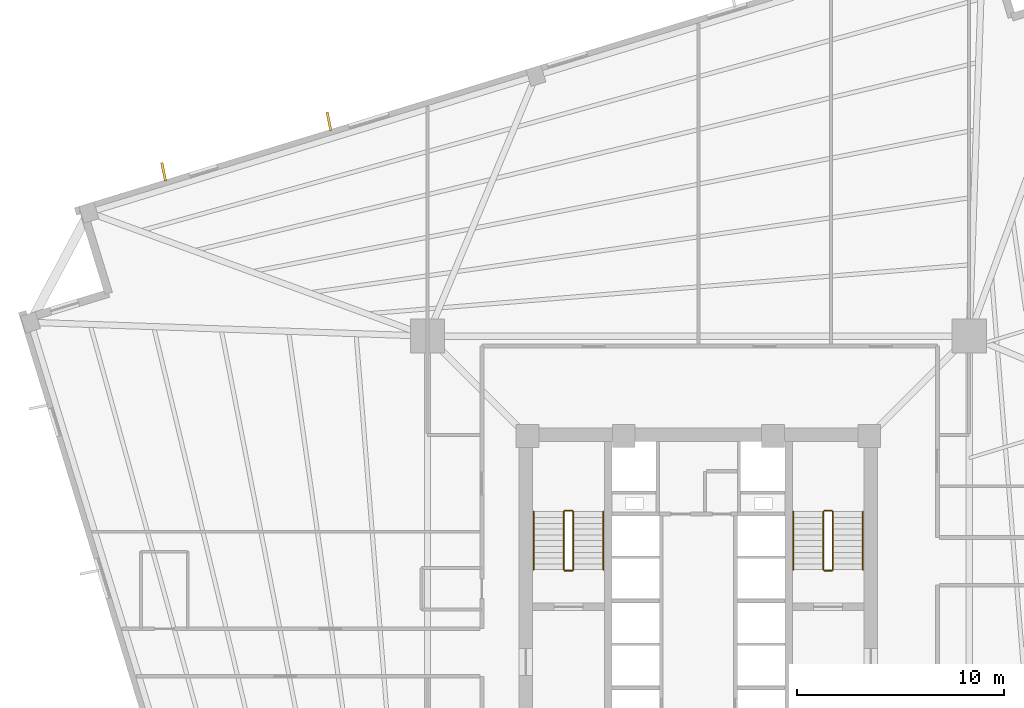
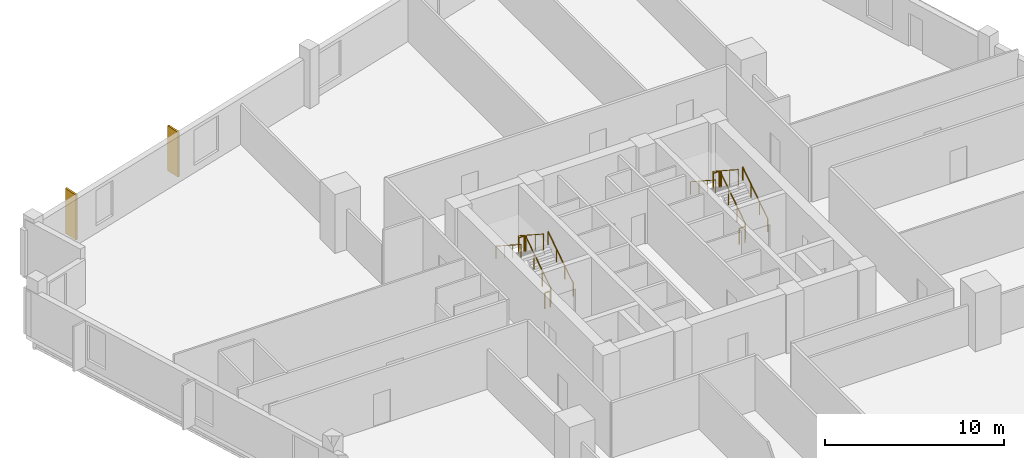
# One storey, part 8 of 9: 12 railings, 2 coverings.
"""IFC4 building model written with IfcOpenShell, lengths in metres."""

from ifc_helpers import new_model, si_unit, direction, frame, origin, origin_2d, place, context, subcontext, project, spatial, rectangle, circle, extrude, source, transform, mapped, material, layer, layer_set, type_object, element, save


model = new_model("IFC4")

# Units and contexts
model_context = context("Model", 3, precision=1e-05, world=origin(), true_north=direction((0.0, 1.0)))
body_context = subcontext(model_context, "Body", "Model", "MODEL_VIEW")
ifc_project = project(units=[si_unit("LENGTHUNIT", "METRE"), si_unit("AREAUNIT", "SQUARE_METRE"), si_unit("VOLUMEUNIT", "CUBIC_METRE"), si_unit("PLANEANGLEUNIT", "RADIAN"), si_unit("MASSUNIT", "GRAM", prefix="KILO"), si_unit("THERMODYNAMICTEMPERATUREUNIT", "KELVIN")], contexts=[model_context])

# Site, building, storey
site_placement = place(None, origin())
site = spatial("IfcSite", under=ifc_project, at=site_placement, CompositionType="ELEMENT")
building_placement = place(site_placement, origin())
building = spatial("IfcBuilding", under=site, at=building_placement, Name="Kosmvard Interchange Tower", CompositionType="ELEMENT")
storey_placement = place(building_placement, frame((0.0, 0.0, 119.199951171875)))
storey = spatial("IfcBuildingStorey", under=building, at=storey_placement, Name="L28", CompositionType="ELEMENT", Elevation=119.199951171875)

# Coverings
ifc_material_1 = material(Name="Architectural anodised aluminium", Category="aluminium")
ifc_layer = layer(ifc_material_1, 0.1201171875, Name="Architectural anodised aluminium")
ifc_layer_set = layer_set([ifc_layer], Name="Architectural anodised aluminium")
covering_type = type_object("IfcCoveringType", Name="Rotating Vertical Sun-Breaker Fin 900x120 Aluminium", PredefinedType="CLADDING", material=ifc_layer_set)
shared_shape_1 = source(origin(), body_context, "Body", "SweptSolid", [
    extrude(rectangle(XDim=0.89990234375, YDim=0.1201171875, at=origin_2d()), origin(), (0.0, 0.0, 1.0), 3.06005859375),
])
for number, where, z_axis, x_axis, name in (
    (1, (-17.841796875, 23.45849609375, 0.0400390625), (0.0, 0.0, 1.0), (-0.197144044521, 0.980374533385, 0.0), "L28 Rotating Vertical Sun-Breaker Fin 11"),
    (2, (-25.825439453125, 21.017822265625, 0.0400390625), (0.0, 0.0, 1.0), (-0.197144044521, 0.980374533385, 0.0), "L28 Rotating Vertical Sun-Breaker Fin 12"),
):
    element("IfcCovering", number, at=place(storey_placement, frame(where, z_axis=z_axis, x_axis=x_axis)), inside=storey, type_object=covering_type, Name=name, PredefinedType="CLADDING", context=body_context, shape_type="MappedRepresentation", body=[
        mapped(shared_shape_1, transform((0.0, 0.0, 0.0), scale=1.0)),
    ])

# Railings
ifc_material_2 = material(Name="Steel S355", Category="steel")
railing_type_1 = type_object("IfcRailingType", Name="Stair & Terrace Safety Guardrail 1100 Steel", PredefinedType="GUARDRAIL", material=ifc_material_2)
shared_shape_2 = source(origin(), body_context, "Body", "SweptSolid", [
    extrude(circle(Radius=0.02392578125, at=origin_2d()), frame((0.0, 0.0, 1.076171875), z_axis=(-1.0, 0.0, 0.0), x_axis=(0.0, -1.0, 0.0)), (0.0, 0.0, 1.0), 0.35986328125),
    extrude(circle(Radius=0.02099609375, at=origin_2d()), origin(), (0.0, 0.0, 1.0), 1.052001953125),
    extrude(circle(Radius=0.02099609375, at=origin_2d()), frame((-0.35986328125, 0.0, 0.0)), (0.0, 0.0, 1.0), 1.052001953125),
])
for number, where, name in (
    (3, (-6.090087890625, 4.64990234375, 2.0), "L28 ST-1 stair guard 2"),
    (4, (-6.090087890625, 1.75, 0.0), "L28 ST-1 stair guard 4"),
    (5, (6.449951171875, 4.64990234375, 2.0), "L28 ST-2 stair guard 2"),
    (6, (6.449951171875, 1.75, 0.0), "L28 ST-2 stair guard 4"),
):
    element("IfcRailing", number, at=place(storey_placement, frame(where)), inside=storey, type_object=railing_type_1, Name=name, PredefinedType="GUARDRAIL", context=body_context, shape_type="MappedRepresentation", body=[
        mapped(shared_shape_2, transform((0.0, 0.0, 0.0), scale=1.0)),
    ])
shared_shape_3 = source(origin(), body_context, "Body", "SweptSolid", [
    extrude(circle(Radius=0.02392578125, at=origin_2d()), frame((0.0, 0.0, 1.076171875), z_axis=(0.0, 0.838705829183, 0.544584733623), x_axis=(-1.0, 0.0, 0.0)), (0.0, 0.0, 1.0), 3.338623046875),
    extrude(circle(Radius=0.02099609375, at=origin_2d()), origin(), (0.0, 0.0, 1.0), 1.052001953125),
    extrude(circle(Radius=0.02099609375, at=origin_2d()), frame((0.0, 0.933349609375, 0.60595703125)), (0.0, 0.0, 1.0), 1.052001953125),
    extrude(circle(Radius=0.02099609375, at=origin_2d()), frame((0.0, 1.86669921875, 1.212158203125)), (0.0, 0.0, 1.0), 1.052001953125),
    extrude(circle(Radius=0.02099609375, at=origin_2d()), frame((0.0, 2.800048828125, 1.818115234375)), (0.0, 0.0, 1.0), 1.052001953125),
])
for number, where, name in (
    (7, (-6.0400390625, 1.800048828125, 0.181884765625), "L28 ST-1 stair guard 1"),
    (8, (6.5, 1.800048828125, 0.181884765625), "L28 ST-2 stair guard 1"),
):
    element("IfcRailing", number, at=place(storey_placement, frame(where)), inside=storey, type_object=railing_type_1, Name=name, PredefinedType="GUARDRAIL", context=body_context, shape_type="MappedRepresentation", body=[
        mapped(shared_shape_3, transform((0.0, 0.0, 0.0), scale=1.0)),
    ])
shared_shape_4 = source(origin(), body_context, "Body", "SweptSolid", [
    extrude(circle(Radius=0.02392578125, at=origin_2d()), frame((0.0, 0.0, 1.076171875), z_axis=(0.0, -0.838705829183, 0.544584733623), x_axis=(1.0, 0.0, 0.0)), (0.0, 0.0, 1.0), 3.338623046875),
    extrude(circle(Radius=0.02099609375, at=origin_2d()), origin(), (0.0, 0.0, 1.0), 1.052001953125),
    extrude(circle(Radius=0.02099609375, at=origin_2d()), frame((0.0, -0.933349609375, 0.60595703125)), (0.0, 0.0, 1.0), 1.052001953125),
    extrude(circle(Radius=0.02099609375, at=origin_2d()), frame((0.0, -1.86669921875, 1.212158203125)), (0.0, 0.0, 1.0), 1.052001953125),
    extrude(circle(Radius=0.02099609375, at=origin_2d()), frame((0.0, -2.800048828125, 1.818115234375)), (0.0, 0.0, 1.0), 1.052001953125),
])
for number, where, name in (
    (9, (-6.5, 4.60009765625, 2.181884765625), "L28 ST-1 stair guard 3"),
    (10, (6.0400390625, 4.60009765625, 2.181884765625), "L28 ST-2 stair guard 3"),
):
    element("IfcRailing", number, at=place(storey_placement, frame(where)), inside=storey, type_object=railing_type_1, Name=name, PredefinedType="GUARDRAIL", context=body_context, shape_type="MappedRepresentation", body=[
        mapped(shared_shape_4, transform((0.0, 0.0, 0.0), scale=1.0)),
    ])
railing_type_2 = type_object("IfcRailingType", Name="Wall-Mounted Stair Handrail 900 Steel", PredefinedType="HANDRAIL", material=ifc_material_2)
shared_shape_5 = source(origin(), body_context, "Body", "SweptSolid", [
    extrude(circle(Radius=0.02392578125, at=origin_2d()), frame((0.0, 0.0, 0.8759765625), z_axis=(0.0, 0.838705829183, 0.544584733623), x_axis=(-1.0, 0.0, 0.0)), (0.0, 0.0, 1.0), 3.338623046875),
    extrude(circle(Radius=0.02099609375, at=origin_2d()), origin(), (0.0, 0.0, 1.0), 0.851806640625),
    extrude(circle(Radius=0.02099609375, at=origin_2d()), frame((0.0, 0.933349609375, 0.60595703125)), (0.0, 0.0, 1.0), 0.851806640625),
    extrude(circle(Radius=0.02099609375, at=origin_2d()), frame((0.0, 1.86669921875, 1.212158203125)), (0.0, 0.0, 1.0), 0.851806640625),
    extrude(circle(Radius=0.02099609375, at=origin_2d()), frame((0.0, 2.800048828125, 1.818115234375)), (0.0, 0.0, 1.0), 0.851806640625),
])
for number, where, name in (
    (11, (-4.590087890625, 1.800048828125, 0.181884765625), "L28 ST-1 stair handrail 1"),
    (12, (7.949951171875, 1.800048828125, 0.181884765625), "L28 ST-2 stair handrail 1"),
):
    element("IfcRailing", number, at=place(storey_placement, frame(where)), inside=storey, type_object=railing_type_2, Name=name, PredefinedType="HANDRAIL", context=body_context, shape_type="MappedRepresentation", body=[
        mapped(shared_shape_5, transform((0.0, 0.0, 0.0), scale=1.0)),
    ])
shared_shape_6 = source(origin(), body_context, "Body", "SweptSolid", [
    extrude(circle(Radius=0.02392578125, at=origin_2d()), frame((0.0, 0.0, 0.8759765625), z_axis=(0.0, -0.838705829183, 0.544584733623), x_axis=(1.0, 0.0, 0.0)), (0.0, 0.0, 1.0), 3.338623046875),
    extrude(circle(Radius=0.02099609375, at=origin_2d()), origin(), (0.0, 0.0, 1.0), 0.851806640625),
    extrude(circle(Radius=0.02099609375, at=origin_2d()), frame((0.0, -0.933349609375, 0.60595703125)), (0.0, 0.0, 1.0), 0.851806640625),
    extrude(circle(Radius=0.02099609375, at=origin_2d()), frame((0.0, -1.86669921875, 1.212158203125)), (0.0, 0.0, 1.0), 0.851806640625),
    extrude(circle(Radius=0.02099609375, at=origin_2d()), frame((0.0, -2.800048828125, 1.818115234375)), (0.0, 0.0, 1.0), 0.851806640625),
])
for number, where, name in (
    (13, (-7.949951171875, 4.60009765625, 2.181884765625), "L28 ST-1 stair handrail 2"),
    (14, (4.590087890625, 4.60009765625, 2.181884765625), "L28 ST-2 stair handrail 2"),
):
    element("IfcRailing", number, at=place(storey_placement, frame(where)), inside=storey, type_object=railing_type_2, Name=name, PredefinedType="HANDRAIL", context=body_context, shape_type="MappedRepresentation", body=[
        mapped(shared_shape_6, transform((0.0, 0.0, 0.0), scale=1.0)),
    ])

save(model, "model.ifc")
